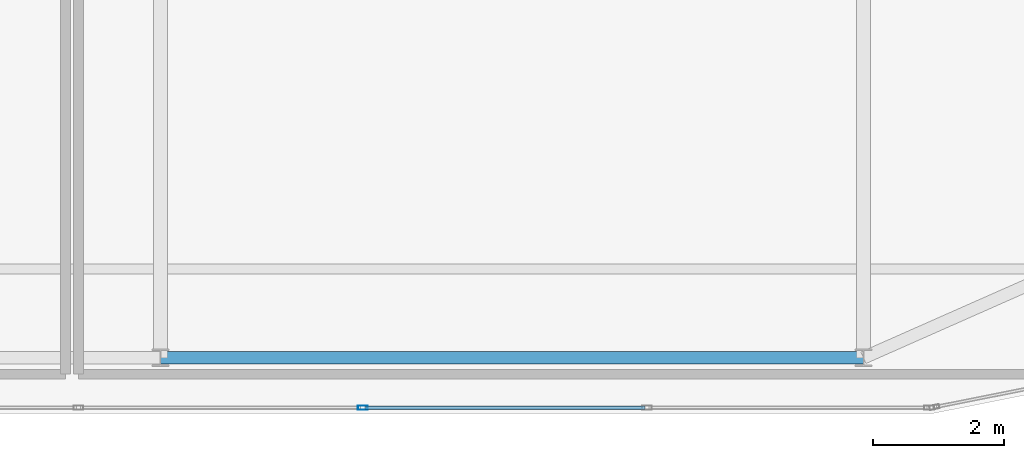
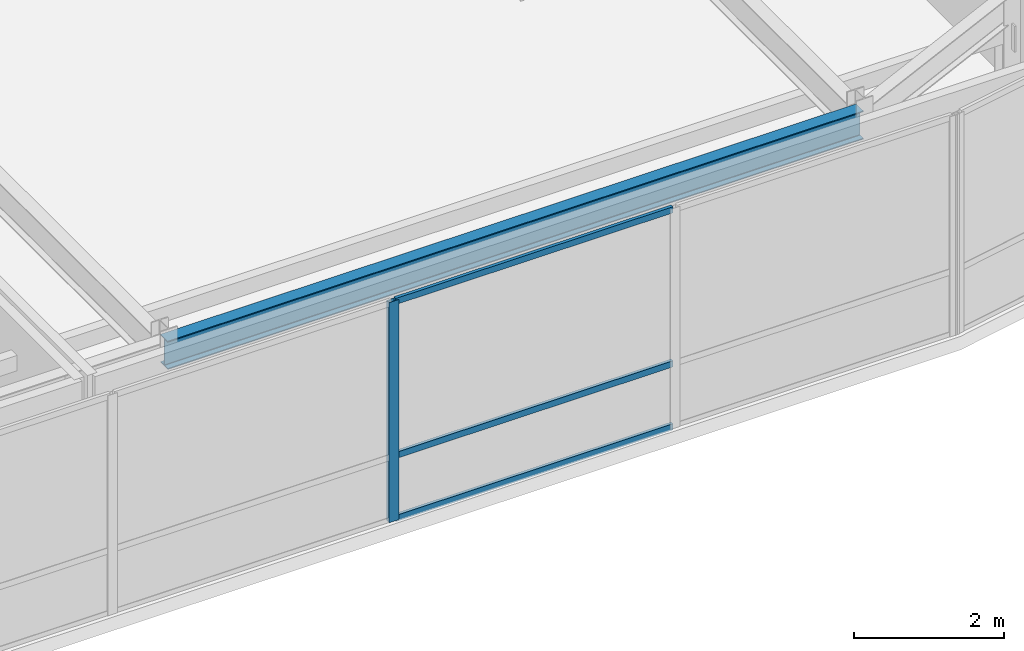
# One storey, part 12 of 36: 4 members, 1 beam, 1 element without a shape of its own.
"""IFC4 building model written with IfcOpenShell, lengths in metres."""

from ifc_helpers import new_model, si_unit, direction, frame, origin, origin_2d, place, context, subcontext, project, spatial, hollow_rectangle, i_section, extrude, source, transform, mapped, material, layer, layer_set, material_profile, profile_set, type_object, type_shapes, element, aggregate, save


model = new_model("IFC4")

# Units and contexts
model_context = context("Model", 3, precision=1e-05, world=origin(), true_north=direction((0.0, 1.0)))
body_context = subcontext(model_context, "Body", "Model", "MODEL_VIEW")
ifc_project = project(units=[si_unit("LENGTHUNIT", "METRE"), si_unit("AREAUNIT", "SQUARE_METRE"), si_unit("VOLUMEUNIT", "CUBIC_METRE"), si_unit("PLANEANGLEUNIT", "RADIAN"), si_unit("MASSUNIT", "GRAM", prefix="KILO")], contexts=[model_context])

# Site, building, storey
site_placement = place(None, origin())
site = spatial("IfcSite", under=ifc_project, at=site_placement, CompositionType="ELEMENT")
building_placement = place(site_placement, origin())
building = spatial("IfcBuilding", under=site, at=building_placement, Name="Tolvann Quenvar Hotel", CompositionType="ELEMENT")
storey_placement = place(building_placement, frame((0.0, 0.0, 294.75)))
storey = spatial("IfcBuildingStorey", under=building, at=storey_placement, Name="L78", CompositionType="ELEMENT", Elevation=294.75)

# Beam
ifc_material_1 = material(Name="Steel Grade 350", Category="steel")
ifc_material_profile_1 = material_profile(ifc_material_1, i_section(OverallWidth=0.19091796875, OverallDepth=0.4599609375, WebThickness=0.010009765625, FlangeThickness=0.01611328125, FilletRadius=0.011474609375, at=origin_2d()), Name="460UB82")
ifc_profile_set_1 = profile_set([ifc_material_profile_1], Name="Steel Grade 350")
beam_type = type_object("IfcBeamType", Name="BM_SPAND_460UB82", PredefinedType="SPANDREL", material=ifc_profile_set_1)
shared_shape_1 = source(origin(), body_context, "Body", "SweptSolid", [
    extrude(i_section(OverallWidth=0.19091796875, OverallDepth=0.4599609375, WebThickness=0.010009765625, FlangeThickness=0.01611328125, FilletRadius=0.011474609375, at=origin_2d()), origin(), (0.0, 0.0, 1.0), 10.699951171875),
])
type_shapes(beam_type, [shared_shape_1])
beam_placement = place(storey_placement, frame((22.050048828125, 7.050048828125, 3.35009765625), z_axis=(1.0, 0.0, 0.0), x_axis=(0.0, 1.0, 0.0)))
element("IfcBeam", 1, at=beam_placement, inside=storey, type_object=beam_type, Name="BM-L78-EW-2-E2-FP2", PredefinedType="SPANDREL", context=body_context, shape_type="MappedRepresentation", body=[
    mapped(shared_shape_1, transform((0.0, 0.0, 0.0), x_axis=(1.0, 0.0, 0.0), y_axis=(0.0, 1.0, 0.0), z_axis=(0.0, 0.0, 1.0), scale=1.0)),
])

# Curtain wall, members
ifc_material_2 = material(Name="Thermally broken anodised architectural aluminium 6063-T6 and laminated low-E glass", Category="aluminium")
ifc_layer = layer(ifc_material_2, 0.179931640625)
ifc_layer_set = layer_set([ifc_layer], Name="Thermally broken anodised architectural aluminium 6063-T6 and laminated low-E glass")
curtain_wall_type = type_object("IfcCurtainWallType", Name="CW_SYS_LANT_06", PredefinedType="USERDEFINED", material=ifc_layer_set)
curtain_wall_placement = place(storey_placement, origin())
curtain_wall = element("IfcCurtainWall", 2, at=curtain_wall_placement, inside=storey, type_object=curtain_wall_type, Name="Curtain Wall CW-LANT-06 (CWR-L78-E04)", ObjectType="UNITISED CURTAIN WALL", PredefinedType="USERDEFINED")
ifc_material_3 = material(Name="Anodised architectural aluminium 6063-T6 framing", Category="aluminium")
ifc_material_profile_2 = material_profile(ifc_material_3, hollow_rectangle(XDim=0.06494140625, YDim=0.14990234375, WallThickness=0.00390625, at=origin_2d()), Name="150x65x4RHS")
ifc_profile_set_2 = profile_set([ifc_material_profile_2], Name="Anodised architectural aluminium 6063-T6 framing")
member_type_1 = type_object("IfcMemberType", Name="CW_MULL_150x65", PredefinedType="MULLION", material=ifc_profile_set_2)
shared_shape_2 = source(origin(), body_context, "Body", "SweptSolid", [
    extrude(hollow_rectangle(XDim=0.06494140625, YDim=0.14990234375, WallThickness=0.00390625, at=origin_2d()), origin(), (0.0, 0.0, 1.0), 3.580078125),
])
type_shapes(member_type_1, [shared_shape_2])
member_1_placement = place(storey_placement, frame((25.127685546875, 6.2900390625, 0.0), z_axis=(0.0, 0.0, 1.0), x_axis=(0.0, 1.0, 0.0)))
member_1 = element("IfcMember", 3, at=member_1_placement, type_object=member_type_1, Name="CW-LANT-06 mullion 5", PredefinedType="MULLION", context=body_context, shape_type="MappedRepresentation", body=[
    mapped(shared_shape_2, transform((0.0, 0.0, 0.0), x_axis=(1.0, 0.0, 0.0), y_axis=(0.0, 1.0, 0.0), z_axis=(0.0, 0.0, 1.0), scale=1.0)),
])
ifc_material_profile_3 = material_profile(ifc_material_3, hollow_rectangle(XDim=0.050048828125, YDim=0.10009765625, WallThickness=0.0029296875, at=origin_2d()), Name="100x50x3RHS")
ifc_profile_set_3 = profile_set([ifc_material_profile_3], Name="Anodised architectural aluminium 6063-T6 framing")
member_type_2 = type_object("IfcMemberType", Name="CW_TRAN_100x50", PredefinedType="USERDEFINED", material=ifc_profile_set_3)
shared_shape_3 = source(origin(), body_context, "Body", "SweptSolid", [
    extrude(hollow_rectangle(XDim=0.050048828125, YDim=0.10009765625, WallThickness=0.0029296875, at=origin_2d()), origin(), (0.0, 0.0, 1.0), 4.262451171875),
])
type_shapes(member_type_2, [shared_shape_3])
member_2_placement = place(storey_placement, frame((25.16015625, 6.2900390625, 0.02490234375), z_axis=(1.0, 0.0, 0.0), x_axis=(0.0, 1.0, 0.0)))
member_2 = element("IfcMember", 4, at=member_2_placement, type_object=member_type_2, Name="CW-LANT-06 transom 5.1", ObjectType="TRANSOM", PredefinedType="USERDEFINED", context=body_context, shape_type="MappedRepresentation", body=[
    mapped(shared_shape_3, transform((0.0, 0.0, 0.0), x_axis=(1.0, 0.0, 0.0), y_axis=(0.0, 1.0, 0.0), z_axis=(0.0, 0.0, 1.0), scale=1.0)),
])
member_3_placement = place(storey_placement, frame((25.16015625, 6.2900390625, 1.050048828125), z_axis=(1.0, 0.0, 0.0), x_axis=(0.0, 1.0, 0.0)))
member_3 = element("IfcMember", 5, at=member_3_placement, type_object=member_type_2, Name="CW-LANT-06 transom 5.2", ObjectType="TRANSOM", PredefinedType="USERDEFINED", context=body_context, shape_type="MappedRepresentation", body=[
    mapped(shared_shape_3, transform((0.0, 0.0, 0.0), x_axis=(1.0, 0.0, 0.0), y_axis=(0.0, 1.0, 0.0), z_axis=(0.0, 0.0, 1.0), scale=1.0)),
])
member_4_placement = place(storey_placement, frame((25.16015625, 6.2900390625, 3.554931640625), z_axis=(1.0, 0.0, 0.0), x_axis=(0.0, 1.0, 0.0)))
member_4 = element("IfcMember", 6, at=member_4_placement, type_object=member_type_2, Name="CW-LANT-06 transom 5.3", ObjectType="TRANSOM", PredefinedType="USERDEFINED", context=body_context, shape_type="MappedRepresentation", body=[
    mapped(shared_shape_3, transform((0.0, 0.0, 0.0), x_axis=(1.0, 0.0, 0.0), y_axis=(0.0, 1.0, 0.0), z_axis=(0.0, 0.0, 1.0), scale=1.0)),
])
aggregate(curtain_wall, [member_1, member_2, member_3, member_4])

save(model, "model.ifc")
